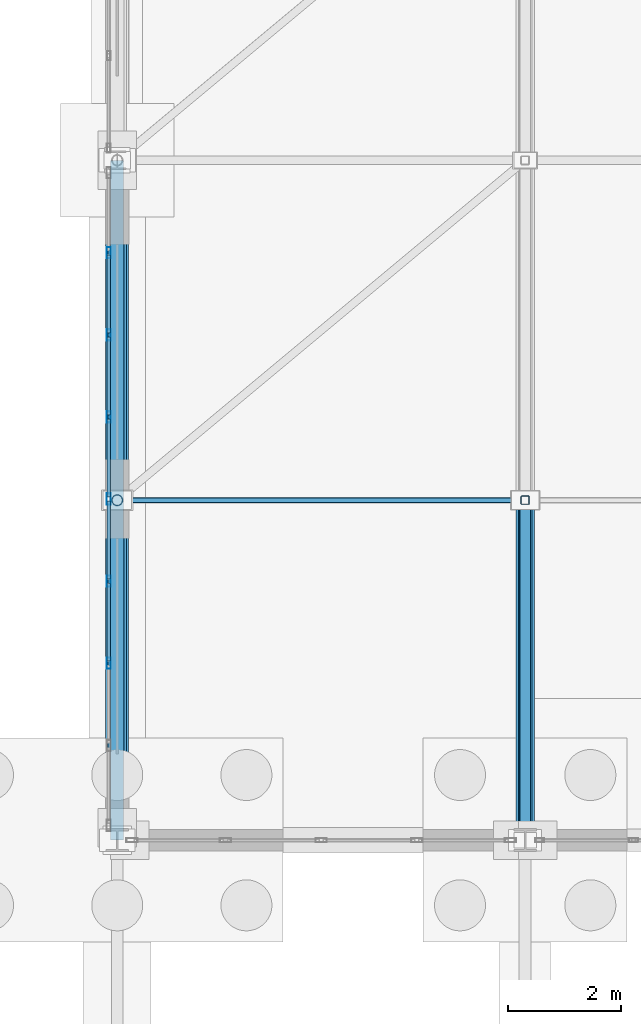
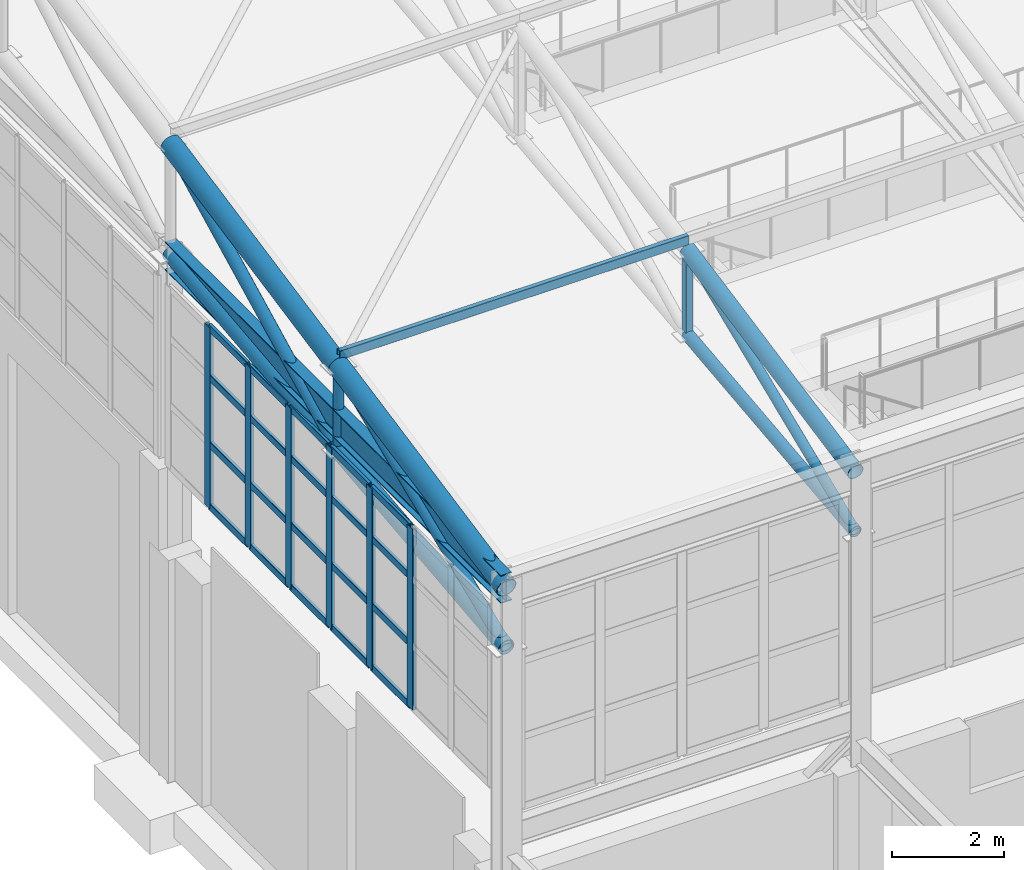
# One storey, part 108 of 293: 38 members, 1 beam, 1 element without a shape of its own.
"""IFC4 building model written with IfcOpenShell, lengths in metres."""

from ifc_helpers import new_model, si_unit, direction, frame, origin, origin_2d, place, context, subcontext, project, spatial, hollow_rectangle, hollow_circle, i_section, extrude, material, layer, layer_set, material_profile, profile_set, type_object, element, aggregate, save


model = new_model("IFC4")

# Units and contexts
model_context = context("Model", 3, precision=1e-05, world=origin(), true_north=direction((0.0, 1.0)))
body_context = subcontext(model_context, "Body", "Model", "MODEL_VIEW")
ifc_project = project(units=[si_unit("LENGTHUNIT", "METRE"), si_unit("AREAUNIT", "SQUARE_METRE"), si_unit("VOLUMEUNIT", "CUBIC_METRE"), si_unit("PLANEANGLEUNIT", "RADIAN"), si_unit("MASSUNIT", "GRAM", prefix="KILO")], contexts=[model_context])

# Site, building, storey
site_placement = place(None, origin())
site = spatial("IfcSite", under=ifc_project, at=site_placement, CompositionType="ELEMENT")
building_placement = place(site_placement, origin())
building = spatial("IfcBuilding", under=site, at=building_placement, Name="Kemerveld Promenade Tramway Depot", CompositionType="ELEMENT")
storey_placement = place(building_placement, origin())
storey = spatial("IfcBuildingStorey", under=building, at=storey_placement, Name="L00", CompositionType="ELEMENT", Elevation=0.0)

# Beam
ifc_material_1 = material(Name="Steel S355", Category="steel")
ifc_material_profile_1 = material_profile(ifc_material_1, i_section(OverallWidth=0.22900390625, OverallDepth=0.6123046875, WebThickness=0.011962890625, FlangeThickness=0.01953125, FilletRadius=0.0126953125, at=origin_2d()), Name="610x229x125 UB")
ifc_profile_set_1 = profile_set([ifc_material_profile_1], Name="Steel S355")
beam_type = type_object("IfcBeamType", Name="BM-G04", PredefinedType="BEAM", material=ifc_profile_set_1)
beam_placement = place(storey_placement, frame((36.0, 84.0, 11.093994140625), z_axis=(0.0, 1.0, 0.0), x_axis=(-1.0, 0.0, 0.0)))
element("IfcBeam", 1, at=beam_placement, inside=storey, type_object=beam_type, Name="BM-GABLE-06-N", PredefinedType="BEAM", context=body_context, shape_type="SweptSolid", body=[
    extrude(i_section(OverallWidth=0.22900390625, OverallDepth=0.6123046875, WebThickness=0.011962890625, FlangeThickness=0.01953125, FilletRadius=0.0126953125, at=origin_2d()), origin(), (0.0, 0.0, 1.0), 12.0),
])

# Curtain wall, members
ifc_material_2 = material(Name="Bronze anodised aluminium and solar glass", Category="aluminium")
ifc_layer = layer(ifc_material_2, 0.199951171875)
ifc_layer_set = layer_set([ifc_layer], Name="CW-SYS-08")
curtain_wall_type = type_object("IfcCurtainWallType", Name="CW-SYS-08", PredefinedType="USERDEFINED", material=ifc_layer_set)
curtain_wall_placement = place(storey_placement, origin())
curtain_wall = element("IfcCurtainWall", 2, at=curtain_wall_placement, inside=storey, type_object=curtain_wall_type, Name="CW-V1-W-01", ObjectType="GLAZED_CURTAIN_WALL", PredefinedType="USERDEFINED")
ifc_material_3 = material(Name="Bronze anodised aluminium", Category="aluminium")
ifc_material_profile_2 = material_profile(ifc_material_3, hollow_rectangle(XDim=0.074951171875, YDim=0.199951171875, WallThickness=0.0048828125, InnerFilletRadius=0.001953125, OuterFilletRadius=0.0048828125, at=origin_2d()), Name="CW-MUL-200x75")
ifc_profile_set_2 = profile_set([ifc_material_profile_2], Name="Bronze anodised aluminium")
member_type_1 = type_object("IfcMemberType", Name="CW-MUL-B", PredefinedType="MULLION", material=ifc_profile_set_2)
member_1_placement = place(storey_placement, frame((35.85009765625, 87.12158203125, 6.64990234375), z_axis=(0.0, 0.0, 1.0), x_axis=(-1.0, 0.0, 0.0)))
member_1 = element("IfcMember", 3, at=member_1_placement, type_object=member_type_1, Name="CW08 mullion 3", PredefinedType="MULLION", context=body_context, shape_type="SweptSolid", body=[
    extrude(hollow_rectangle(XDim=0.074951171875, YDim=0.199951171875, WallThickness=0.0048828125, InnerFilletRadius=0.001953125, OuterFilletRadius=0.0048828125, at=origin_2d()), origin(), (0.0, 0.0, 1.0), 3.9501953125),
])
member_2_placement = place(storey_placement, frame((35.85009765625, 88.57080078125, 6.64990234375), z_axis=(0.0, 0.0, 1.0), x_axis=(-1.0, 0.0, 0.0)))
member_2 = element("IfcMember", 4, at=member_2_placement, type_object=member_type_1, Name="CW08 mullion 4", PredefinedType="MULLION", context=body_context, shape_type="SweptSolid", body=[
    extrude(hollow_rectangle(XDim=0.074951171875, YDim=0.199951171875, WallThickness=0.0048828125, InnerFilletRadius=0.001953125, OuterFilletRadius=0.0048828125, at=origin_2d()), origin(), (0.0, 0.0, 1.0), 3.9501953125),
])
member_3_placement = place(storey_placement, frame((35.85009765625, 90.019775390625, 6.64990234375), z_axis=(0.0, 0.0, 1.0), x_axis=(-1.0, 0.0, 0.0)))
member_3 = element("IfcMember", 5, at=member_3_placement, type_object=member_type_1, Name="CW08 mullion 5", PredefinedType="MULLION", context=body_context, shape_type="SweptSolid", body=[
    extrude(hollow_rectangle(XDim=0.074951171875, YDim=0.199951171875, WallThickness=0.0048828125, InnerFilletRadius=0.001953125, OuterFilletRadius=0.0048828125, at=origin_2d()), origin(), (0.0, 0.0, 1.0), 3.9501953125),
])
member_4_placement = place(storey_placement, frame((35.85009765625, 91.468994140625, 6.64990234375), z_axis=(0.0, 0.0, 1.0), x_axis=(-1.0, 0.0, 0.0)))
member_4 = element("IfcMember", 6, at=member_4_placement, type_object=member_type_1, Name="CW08 mullion 6", PredefinedType="MULLION", context=body_context, shape_type="SweptSolid", body=[
    extrude(hollow_rectangle(XDim=0.074951171875, YDim=0.199951171875, WallThickness=0.0048828125, InnerFilletRadius=0.001953125, OuterFilletRadius=0.0048828125, at=origin_2d()), origin(), (0.0, 0.0, 1.0), 3.9501953125),
])
member_5_placement = place(storey_placement, frame((35.85009765625, 92.918212890625, 6.64990234375), z_axis=(0.0, 0.0, 1.0), x_axis=(-1.0, 0.0, 0.0)))
member_5 = element("IfcMember", 7, at=member_5_placement, type_object=member_type_1, Name="CW08 mullion 7", PredefinedType="MULLION", context=body_context, shape_type="SweptSolid", body=[
    extrude(hollow_rectangle(XDim=0.074951171875, YDim=0.199951171875, WallThickness=0.0048828125, InnerFilletRadius=0.001953125, OuterFilletRadius=0.0048828125, at=origin_2d()), origin(), (0.0, 0.0, 1.0), 3.9501953125),
])
member_6_placement = place(storey_placement, frame((35.85009765625, 94.367431640625, 6.64990234375), z_axis=(0.0, 0.0, 1.0), x_axis=(-1.0, 0.0, 0.0)))
member_6 = element("IfcMember", 8, at=member_6_placement, type_object=member_type_1, Name="CW08 mullion 8", PredefinedType="MULLION", context=body_context, shape_type="SweptSolid", body=[
    extrude(hollow_rectangle(XDim=0.074951171875, YDim=0.199951171875, WallThickness=0.0048828125, InnerFilletRadius=0.001953125, OuterFilletRadius=0.0048828125, at=origin_2d()), origin(), (0.0, 0.0, 1.0), 3.9501953125),
])
ifc_material_profile_3 = material_profile(ifc_material_3, hollow_rectangle(XDim=0.06494140625, YDim=0.14990234375, WallThickness=0.00439453125, InnerFilletRadius=0.001953125, OuterFilletRadius=0.00439453125, at=origin_2d()), Name="CW-TRN-150x65")
ifc_profile_set_3 = profile_set([ifc_material_profile_3], Name="Bronze anodised aluminium")
member_type_2 = type_object("IfcMemberType", Name="CW-TRN-B", PredefinedType="USERDEFINED", material=ifc_profile_set_3)
member_7_placement = place(storey_placement, frame((35.85009765625, 87.158935546875, 6.6826171875), z_axis=(0.0, 1.0, 0.0), x_axis=(-1.0, 0.0, 0.0)))
member_7 = element("IfcMember", 9, at=member_7_placement, type_object=member_type_2, Name="CW08 transom 3.1", ObjectType="TRANSOM", PredefinedType="USERDEFINED", context=body_context, shape_type="SweptSolid", body=[
    extrude(hollow_rectangle(XDim=0.06494140625, YDim=0.14990234375, WallThickness=0.00439453125, InnerFilletRadius=0.001953125, OuterFilletRadius=0.00439453125, at=origin_2d()), origin(), (0.0, 0.0, 1.0), 1.374267578125),
])
member_8_placement = place(storey_placement, frame((35.85009765625, 87.158935546875, 8.032958984375), z_axis=(0.0, 1.0, 0.0), x_axis=(-1.0, 0.0, 0.0)))
member_8 = element("IfcMember", 10, at=member_8_placement, type_object=member_type_2, Name="CW08 transom 3.2", ObjectType="TRANSOM", PredefinedType="USERDEFINED", context=body_context, shape_type="SweptSolid", body=[
    extrude(hollow_rectangle(XDim=0.06494140625, YDim=0.14990234375, WallThickness=0.00439453125, InnerFilletRadius=0.001953125, OuterFilletRadius=0.00439453125, at=origin_2d()), origin(), (0.0, 0.0, 1.0), 1.374267578125),
])
member_9_placement = place(storey_placement, frame((35.85009765625, 87.158935546875, 9.493896484375), z_axis=(0.0, 1.0, 0.0), x_axis=(-1.0, 0.0, 0.0)))
member_9 = element("IfcMember", 11, at=member_9_placement, type_object=member_type_2, Name="CW08 transom 3.3", ObjectType="TRANSOM", PredefinedType="USERDEFINED", context=body_context, shape_type="SweptSolid", body=[
    extrude(hollow_rectangle(XDim=0.06494140625, YDim=0.14990234375, WallThickness=0.00439453125, InnerFilletRadius=0.001953125, OuterFilletRadius=0.00439453125, at=origin_2d()), origin(), (0.0, 0.0, 1.0), 1.374267578125),
])
member_10_placement = place(storey_placement, frame((35.85009765625, 87.158935546875, 10.5673828125), z_axis=(0.0, 1.0, 0.0), x_axis=(-1.0, 0.0, 0.0)))
member_10 = element("IfcMember", 12, at=member_10_placement, type_object=member_type_2, Name="CW08 transom 3.4", ObjectType="TRANSOM", PredefinedType="USERDEFINED", context=body_context, shape_type="SweptSolid", body=[
    extrude(hollow_rectangle(XDim=0.06494140625, YDim=0.14990234375, WallThickness=0.00439453125, InnerFilletRadius=0.001953125, OuterFilletRadius=0.00439453125, at=origin_2d()), origin(), (0.0, 0.0, 1.0), 1.374267578125),
])
member_11_placement = place(storey_placement, frame((35.85009765625, 88.608154296875, 6.6826171875), z_axis=(0.0, 1.0, 0.0), x_axis=(-1.0, 0.0, 0.0)))
member_11 = element("IfcMember", 13, at=member_11_placement, type_object=member_type_2, Name="CW08 transom 4.1", ObjectType="TRANSOM", PredefinedType="USERDEFINED", context=body_context, shape_type="SweptSolid", body=[
    extrude(hollow_rectangle(XDim=0.06494140625, YDim=0.14990234375, WallThickness=0.00439453125, InnerFilletRadius=0.001953125, OuterFilletRadius=0.00439453125, at=origin_2d()), origin(), (0.0, 0.0, 1.0), 1.374267578125),
])
member_12_placement = place(storey_placement, frame((35.85009765625, 88.608154296875, 8.032958984375), z_axis=(0.0, 1.0, 0.0), x_axis=(-1.0, 0.0, 0.0)))
member_12 = element("IfcMember", 14, at=member_12_placement, type_object=member_type_2, Name="CW08 transom 4.2", ObjectType="TRANSOM", PredefinedType="USERDEFINED", context=body_context, shape_type="SweptSolid", body=[
    extrude(hollow_rectangle(XDim=0.06494140625, YDim=0.14990234375, WallThickness=0.00439453125, InnerFilletRadius=0.001953125, OuterFilletRadius=0.00439453125, at=origin_2d()), origin(), (0.0, 0.0, 1.0), 1.374267578125),
])
member_13_placement = place(storey_placement, frame((35.85009765625, 88.608154296875, 9.493896484375), z_axis=(0.0, 1.0, 0.0), x_axis=(-1.0, 0.0, 0.0)))
member_13 = element("IfcMember", 15, at=member_13_placement, type_object=member_type_2, Name="CW08 transom 4.3", ObjectType="TRANSOM", PredefinedType="USERDEFINED", context=body_context, shape_type="SweptSolid", body=[
    extrude(hollow_rectangle(XDim=0.06494140625, YDim=0.14990234375, WallThickness=0.00439453125, InnerFilletRadius=0.001953125, OuterFilletRadius=0.00439453125, at=origin_2d()), origin(), (0.0, 0.0, 1.0), 1.374267578125),
])
member_14_placement = place(storey_placement, frame((35.85009765625, 88.608154296875, 10.5673828125), z_axis=(0.0, 1.0, 0.0), x_axis=(-1.0, 0.0, 0.0)))
member_14 = element("IfcMember", 16, at=member_14_placement, type_object=member_type_2, Name="CW08 transom 4.4", ObjectType="TRANSOM", PredefinedType="USERDEFINED", context=body_context, shape_type="SweptSolid", body=[
    extrude(hollow_rectangle(XDim=0.06494140625, YDim=0.14990234375, WallThickness=0.00439453125, InnerFilletRadius=0.001953125, OuterFilletRadius=0.00439453125, at=origin_2d()), origin(), (0.0, 0.0, 1.0), 1.374267578125),
])
member_15_placement = place(storey_placement, frame((35.85009765625, 90.057373046875, 6.6826171875), z_axis=(0.0, 1.0, 0.0), x_axis=(-1.0, 0.0, 0.0)))
member_15 = element("IfcMember", 17, at=member_15_placement, type_object=member_type_2, Name="CW08 transom 5.1", ObjectType="TRANSOM", PredefinedType="USERDEFINED", context=body_context, shape_type="SweptSolid", body=[
    extrude(hollow_rectangle(XDim=0.06494140625, YDim=0.14990234375, WallThickness=0.00439453125, InnerFilletRadius=0.001953125, OuterFilletRadius=0.00439453125, at=origin_2d()), origin(), (0.0, 0.0, 1.0), 1.3740234375),
])
member_16_placement = place(storey_placement, frame((35.85009765625, 90.057373046875, 8.032958984375), z_axis=(0.0, 1.0, 0.0), x_axis=(-1.0, 0.0, 0.0)))
member_16 = element("IfcMember", 18, at=member_16_placement, type_object=member_type_2, Name="CW08 transom 5.2", ObjectType="TRANSOM", PredefinedType="USERDEFINED", context=body_context, shape_type="SweptSolid", body=[
    extrude(hollow_rectangle(XDim=0.06494140625, YDim=0.14990234375, WallThickness=0.00439453125, InnerFilletRadius=0.001953125, OuterFilletRadius=0.00439453125, at=origin_2d()), origin(), (0.0, 0.0, 1.0), 1.3740234375),
])
member_17_placement = place(storey_placement, frame((35.85009765625, 90.057373046875, 9.493896484375), z_axis=(0.0, 1.0, 0.0), x_axis=(-1.0, 0.0, 0.0)))
member_17 = element("IfcMember", 19, at=member_17_placement, type_object=member_type_2, Name="CW08 transom 5.3", ObjectType="TRANSOM", PredefinedType="USERDEFINED", context=body_context, shape_type="SweptSolid", body=[
    extrude(hollow_rectangle(XDim=0.06494140625, YDim=0.14990234375, WallThickness=0.00439453125, InnerFilletRadius=0.001953125, OuterFilletRadius=0.00439453125, at=origin_2d()), origin(), (0.0, 0.0, 1.0), 1.3740234375),
])
member_18_placement = place(storey_placement, frame((35.85009765625, 90.057373046875, 10.5673828125), z_axis=(0.0, 1.0, 0.0), x_axis=(-1.0, 0.0, 0.0)))
member_18 = element("IfcMember", 20, at=member_18_placement, type_object=member_type_2, Name="CW08 transom 5.4", ObjectType="TRANSOM", PredefinedType="USERDEFINED", context=body_context, shape_type="SweptSolid", body=[
    extrude(hollow_rectangle(XDim=0.06494140625, YDim=0.14990234375, WallThickness=0.00439453125, InnerFilletRadius=0.001953125, OuterFilletRadius=0.00439453125, at=origin_2d()), origin(), (0.0, 0.0, 1.0), 1.3740234375),
])
member_19_placement = place(storey_placement, frame((35.85009765625, 91.506591796875, 6.6826171875), z_axis=(0.0, 1.0, 0.0), x_axis=(-1.0, 0.0, 0.0)))
member_19 = element("IfcMember", 21, at=member_19_placement, type_object=member_type_2, Name="CW08 transom 6.1", ObjectType="TRANSOM", PredefinedType="USERDEFINED", context=body_context, shape_type="SweptSolid", body=[
    extrude(hollow_rectangle(XDim=0.06494140625, YDim=0.14990234375, WallThickness=0.00439453125, InnerFilletRadius=0.001953125, OuterFilletRadius=0.00439453125, at=origin_2d()), origin(), (0.0, 0.0, 1.0), 1.3740234375),
])
member_20_placement = place(storey_placement, frame((35.85009765625, 91.506591796875, 8.032958984375), z_axis=(0.0, 1.0, 0.0), x_axis=(-1.0, 0.0, 0.0)))
member_20 = element("IfcMember", 22, at=member_20_placement, type_object=member_type_2, Name="CW08 transom 6.2", ObjectType="TRANSOM", PredefinedType="USERDEFINED", context=body_context, shape_type="SweptSolid", body=[
    extrude(hollow_rectangle(XDim=0.06494140625, YDim=0.14990234375, WallThickness=0.00439453125, InnerFilletRadius=0.001953125, OuterFilletRadius=0.00439453125, at=origin_2d()), origin(), (0.0, 0.0, 1.0), 1.3740234375),
])
member_21_placement = place(storey_placement, frame((35.85009765625, 91.506591796875, 9.493896484375), z_axis=(0.0, 1.0, 0.0), x_axis=(-1.0, 0.0, 0.0)))
member_21 = element("IfcMember", 23, at=member_21_placement, type_object=member_type_2, Name="CW08 transom 6.3", ObjectType="TRANSOM", PredefinedType="USERDEFINED", context=body_context, shape_type="SweptSolid", body=[
    extrude(hollow_rectangle(XDim=0.06494140625, YDim=0.14990234375, WallThickness=0.00439453125, InnerFilletRadius=0.001953125, OuterFilletRadius=0.00439453125, at=origin_2d()), origin(), (0.0, 0.0, 1.0), 1.3740234375),
])
member_22_placement = place(storey_placement, frame((35.85009765625, 91.506591796875, 10.5673828125), z_axis=(0.0, 1.0, 0.0), x_axis=(-1.0, 0.0, 0.0)))
member_22 = element("IfcMember", 24, at=member_22_placement, type_object=member_type_2, Name="CW08 transom 6.4", ObjectType="TRANSOM", PredefinedType="USERDEFINED", context=body_context, shape_type="SweptSolid", body=[
    extrude(hollow_rectangle(XDim=0.06494140625, YDim=0.14990234375, WallThickness=0.00439453125, InnerFilletRadius=0.001953125, OuterFilletRadius=0.00439453125, at=origin_2d()), origin(), (0.0, 0.0, 1.0), 1.3740234375),
])
member_23_placement = place(storey_placement, frame((35.85009765625, 92.95556640625, 6.6826171875), z_axis=(0.0, 1.0, 0.0), x_axis=(-1.0, 0.0, 0.0)))
member_23 = element("IfcMember", 25, at=member_23_placement, type_object=member_type_2, Name="CW08 transom 7.1", ObjectType="TRANSOM", PredefinedType="USERDEFINED", context=body_context, shape_type="SweptSolid", body=[
    extrude(hollow_rectangle(XDim=0.06494140625, YDim=0.14990234375, WallThickness=0.00439453125, InnerFilletRadius=0.001953125, OuterFilletRadius=0.00439453125, at=origin_2d()), origin(), (0.0, 0.0, 1.0), 1.374267578125),
])
member_24_placement = place(storey_placement, frame((35.85009765625, 92.95556640625, 8.032958984375), z_axis=(0.0, 1.0, 0.0), x_axis=(-1.0, 0.0, 0.0)))
member_24 = element("IfcMember", 26, at=member_24_placement, type_object=member_type_2, Name="CW08 transom 7.2", ObjectType="TRANSOM", PredefinedType="USERDEFINED", context=body_context, shape_type="SweptSolid", body=[
    extrude(hollow_rectangle(XDim=0.06494140625, YDim=0.14990234375, WallThickness=0.00439453125, InnerFilletRadius=0.001953125, OuterFilletRadius=0.00439453125, at=origin_2d()), origin(), (0.0, 0.0, 1.0), 1.374267578125),
])
member_25_placement = place(storey_placement, frame((35.85009765625, 92.95556640625, 9.493896484375), z_axis=(0.0, 1.0, 0.0), x_axis=(-1.0, 0.0, 0.0)))
member_25 = element("IfcMember", 27, at=member_25_placement, type_object=member_type_2, Name="CW08 transom 7.3", ObjectType="TRANSOM", PredefinedType="USERDEFINED", context=body_context, shape_type="SweptSolid", body=[
    extrude(hollow_rectangle(XDim=0.06494140625, YDim=0.14990234375, WallThickness=0.00439453125, InnerFilletRadius=0.001953125, OuterFilletRadius=0.00439453125, at=origin_2d()), origin(), (0.0, 0.0, 1.0), 1.374267578125),
])
member_26_placement = place(storey_placement, frame((35.85009765625, 92.95556640625, 10.5673828125), z_axis=(0.0, 1.0, 0.0), x_axis=(-1.0, 0.0, 0.0)))
member_26 = element("IfcMember", 28, at=member_26_placement, type_object=member_type_2, Name="CW08 transom 7.4", ObjectType="TRANSOM", PredefinedType="USERDEFINED", context=body_context, shape_type="SweptSolid", body=[
    extrude(hollow_rectangle(XDim=0.06494140625, YDim=0.14990234375, WallThickness=0.00439453125, InnerFilletRadius=0.001953125, OuterFilletRadius=0.00439453125, at=origin_2d()), origin(), (0.0, 0.0, 1.0), 1.374267578125),
])
aggregate(curtain_wall, [member_1, member_2, member_3, member_4, member_5, member_6, member_7, member_8, member_9, member_10, member_11, member_12, member_13, member_14, member_15, member_16, member_17, member_18, member_19, member_20, member_21, member_22, member_23, member_24, member_25, member_26])

# Members
ifc_material_profile_4 = material_profile(ifc_material_1, hollow_rectangle(XDim=0.10009765625, YDim=0.199951171875, WallThickness=0.008056640625, InnerFilletRadius=0.00390625, OuterFilletRadius=0.011962890625, at=origin_2d()), Name="200x100x8.0 RHS")
ifc_profile_set_4 = profile_set([ifc_material_profile_4], Name="Steel S355")
member_type_3 = type_object("IfcMemberType", Name="MB-PR2", PredefinedType="PURLIN", material=ifc_profile_set_4)
member_27_placement = place(storey_placement, frame((36.0, 90.0, 12.544921875), z_axis=(1.0, 0.0, 0.0), x_axis=(0.0, 1.0, 0.0)))
element("IfcMember", 29, at=member_27_placement, inside=storey, type_object=member_type_3, Name="PUR-V1-01-06", PredefinedType="PURLIN", context=body_context, shape_type="SweptSolid", body=[
    extrude(hollow_rectangle(XDim=0.10009765625, YDim=0.199951171875, WallThickness=0.008056640625, InnerFilletRadius=0.00390625, OuterFilletRadius=0.011962890625, at=origin_2d()), origin(), (0.0, 0.0, 1.0), 7.199951171875),
])
ifc_material_profile_5 = material_profile(ifc_material_1, hollow_circle(Radius=0.122314453125, WallThickness=0.010009765625, at=origin_2d()), Name="244.5x10.0 CHS")
ifc_profile_set_5 = profile_set([ifc_material_profile_5], Name="Steel S355")
member_type_4 = type_object("IfcMemberType", Name="MB-TB1", PredefinedType="BRACE", material=ifc_profile_set_5)
member_28_placement = place(storey_placement, frame((36.0, 84.0, 9.800048828125), z_axis=(0.0, 0.923076923077, 0.384615384615), x_axis=(-1.0, 0.0, 0.0)))
element("IfcMember", 30, at=member_28_placement, inside=storey, type_object=member_type_4, Name="TR-06-DG-01", PredefinedType="BRACE", context=body_context, shape_type="SweptSolid", body=[
    extrude(hollow_circle(Radius=0.122314453125, WallThickness=0.010009765625, at=origin_2d()), origin(), (0.0, 0.0, 1.0), 6.5),
])
member_29_placement = place(storey_placement, frame((36.0, 90.0, 10.4599609375), z_axis=(0.0, 0.892033434612, 0.451969414379), x_axis=(-1.0, 0.0, 0.0)))
element("IfcMember", 31, at=member_29_placement, inside=storey, type_object=member_type_4, Name="TR-06-DG-02", PredefinedType="BRACE", context=body_context, shape_type="SweptSolid", body=[
    extrude(hollow_circle(Radius=0.122314453125, WallThickness=0.010009765625, at=origin_2d()), origin(), (0.0, 0.0, 1.0), 6.726318359375),
])
ifc_material_profile_6 = material_profile(ifc_material_1, hollow_circle(Radius=0.096923828125, WallThickness=0.008056640625, at=origin_2d()), Name="193.7x8.0 CHS")
ifc_profile_set_6 = profile_set([ifc_material_profile_6], Name="Steel S355")
member_type_5 = type_object("IfcMemberType", Name="MB-TB2", PredefinedType="BRACE", material=ifc_profile_set_6)
member_30_placement = place(storey_placement, frame((43.199951171875, 84.0, 9.800048828125), z_axis=(0.0, 0.923076923077, 0.384615384615), x_axis=(-1.0, 0.0, 0.0)))
element("IfcMember", 32, at=member_30_placement, inside=storey, type_object=member_type_5, Name="TR-07-DG-01", PredefinedType="BRACE", context=body_context, shape_type="SweptSolid", body=[
    extrude(hollow_circle(Radius=0.096923828125, WallThickness=0.008056640625, at=origin_2d()), origin(), (0.0, 0.0, 1.0), 6.5),
])
ifc_material_profile_7 = material_profile(ifc_material_1, hollow_circle(Radius=0.203125, WallThickness=0.01611328125, at=origin_2d()), Name="406.4x16.0 CHS")
ifc_profile_set_7 = profile_set([ifc_material_profile_7], Name="Steel S355")
member_type_6 = type_object("IfcMemberType", Name="MB-TC1", PredefinedType="CHORD", material=ifc_profile_set_7)
for number, where, z_axis, x_axis, name in (
    (33, (36.0, 84.0, 11.10009765625), (0.0, 0.980582210276, 0.196108462057), (-1.0, 0.0, 0.0), "TR-06-TC-01"),
    (34, (36.0, 90.0, 12.300048828125), (0.0, 0.980582210276, 0.196108462057), (-1.0, 0.0, 0.0), "TR-06-TC-02"),
):
    element("IfcMember", number, at=place(storey_placement, frame(where, z_axis=z_axis, x_axis=x_axis)), inside=storey, type_object=member_type_6, Name=name, PredefinedType="CHORD", context=body_context, shape_type="SweptSolid", body=[
        extrude(hollow_circle(Radius=0.203125, WallThickness=0.01611328125, at=origin_2d()), origin(), (0.0, 0.0, 1.0), 6.118896484375),
    ])
ifc_material_profile_8 = material_profile(ifc_material_1, hollow_circle(Radius=0.161865234375, WallThickness=0.012451171875, at=origin_2d()), Name="323.9x12.5 CHS")
ifc_profile_set_8 = profile_set([ifc_material_profile_8], Name="Steel S355")
member_type_7 = type_object("IfcMemberType", Name="MB-TC2", PredefinedType="CHORD", material=ifc_profile_set_8)
for number, where, z_axis, x_axis, name in (
    (35, (36.0, 84.0, 9.800048828125), (0.0, 0.994005938353, 0.109326092585), (-1.0, 0.0, 0.0), "TR-06-BC-01"),
    (36, (36.0, 90.0, 10.4599609375), (0.0, 0.994001542248, 0.109366055104), (-1.0, 0.0, 0.0), "TR-06-BC-02"),
):
    element("IfcMember", number, at=place(storey_placement, frame(where, z_axis=z_axis, x_axis=x_axis)), inside=storey, type_object=member_type_7, Name=name, PredefinedType="CHORD", context=body_context, shape_type="SweptSolid", body=[
        extrude(hollow_circle(Radius=0.161865234375, WallThickness=0.012451171875, at=origin_2d()), origin(), (0.0, 0.0, 1.0), 6.0361328125),
    ])
member_31_placement = place(storey_placement, frame((43.199951171875, 84.0, 11.10009765625), z_axis=(0.0, 0.980582210276, 0.196108462057), x_axis=(-1.0, 0.0, 0.0)))
element("IfcMember", 37, at=member_31_placement, inside=storey, type_object=member_type_7, Name="TR-07-TC-01", PredefinedType="CHORD", context=body_context, shape_type="SweptSolid", body=[
    extrude(hollow_circle(Radius=0.161865234375, WallThickness=0.012451171875, at=origin_2d()), origin(), (0.0, 0.0, 1.0), 6.118896484375),
])
ifc_material_profile_9 = material_profile(ifc_material_1, hollow_circle(Radius=0.122314453125, WallThickness=0.010009765625, at=origin_2d()), Name="244.5x10.0 CHS")
ifc_profile_set_9 = profile_set([ifc_material_profile_9], Name="Steel S355")
member_type_8 = type_object("IfcMemberType", Name="MB-TC3", PredefinedType="CHORD", material=ifc_profile_set_9)
member_32_placement = place(storey_placement, frame((43.199951171875, 84.0, 9.800048828125), z_axis=(0.0, 0.994005938353, 0.109326092585), x_axis=(-1.0, 0.0, 0.0)))
element("IfcMember", 38, at=member_32_placement, inside=storey, type_object=member_type_8, Name="TR-07-BC-01", PredefinedType="CHORD", context=body_context, shape_type="SweptSolid", body=[
    extrude(hollow_circle(Radius=0.122314453125, WallThickness=0.010009765625, at=origin_2d()), origin(), (0.0, 0.0, 1.0), 6.0361328125),
])
ifc_material_profile_10 = material_profile(ifc_material_1, hollow_circle(Radius=0.096923828125, WallThickness=0.008056640625, at=origin_2d()), Name="193.7x8.0 CHS")
ifc_profile_set_10 = profile_set([ifc_material_profile_10], Name="Steel S355")
member_type_9 = type_object("IfcMemberType", Name="MB-TP1", PredefinedType="POST", material=ifc_profile_set_10)
member_33_placement = place(storey_placement, frame((36.0, 90.0, 10.4599609375), z_axis=(0.0, 0.0, 1.0), x_axis=(1.0, 0.0, 0.0)))
element("IfcMember", 39, at=member_33_placement, inside=storey, type_object=member_type_9, Name="TR-06-VT-01", PredefinedType="POST", context=body_context, shape_type="SweptSolid", body=[
    extrude(hollow_circle(Radius=0.096923828125, WallThickness=0.008056640625, at=origin_2d()), origin(), (0.0, 0.0, 1.0), 1.840087890625),
])
ifc_material_profile_11 = material_profile(ifc_material_1, hollow_rectangle(XDim=0.14990234375, YDim=0.14990234375, WallThickness=0.008056640625, InnerFilletRadius=0.00390625, OuterFilletRadius=0.011962890625, at=origin_2d()), Name="150x150x8.0 SHS")
ifc_profile_set_11 = profile_set([ifc_material_profile_11], Name="Steel S355")
member_type_10 = type_object("IfcMemberType", Name="MB-TP2", PredefinedType="POST", material=ifc_profile_set_11)
member_34_placement = place(storey_placement, frame((43.199951171875, 90.0, 10.4599609375), z_axis=(0.0, 0.0, 1.0), x_axis=(1.0, 0.0, 0.0)))
element("IfcMember", 40, at=member_34_placement, inside=storey, type_object=member_type_10, Name="TR-07-VT-01", PredefinedType="POST", context=body_context, shape_type="SweptSolid", body=[
    extrude(hollow_rectangle(XDim=0.14990234375, YDim=0.14990234375, WallThickness=0.008056640625, InnerFilletRadius=0.00390625, OuterFilletRadius=0.011962890625, at=origin_2d()), origin(), (0.0, 0.0, 1.0), 1.840087890625),
])

save(model, "model.ifc")
